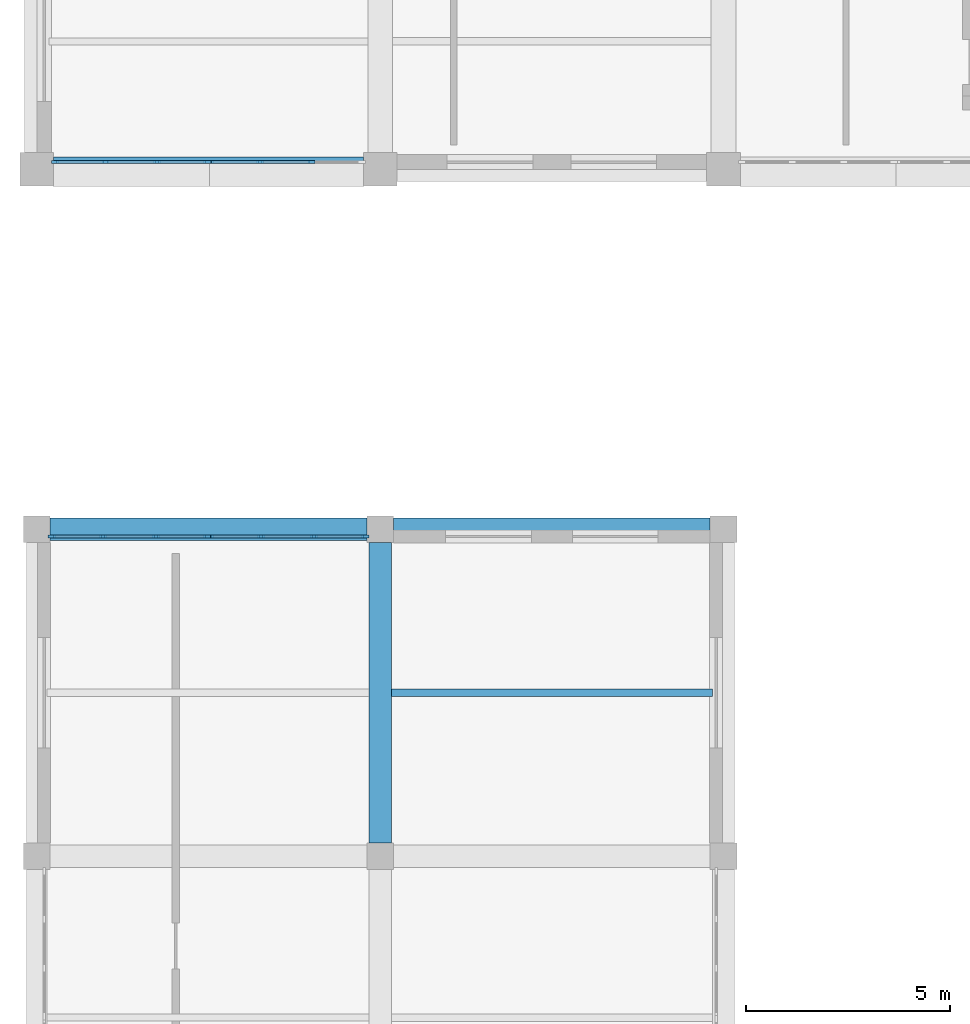
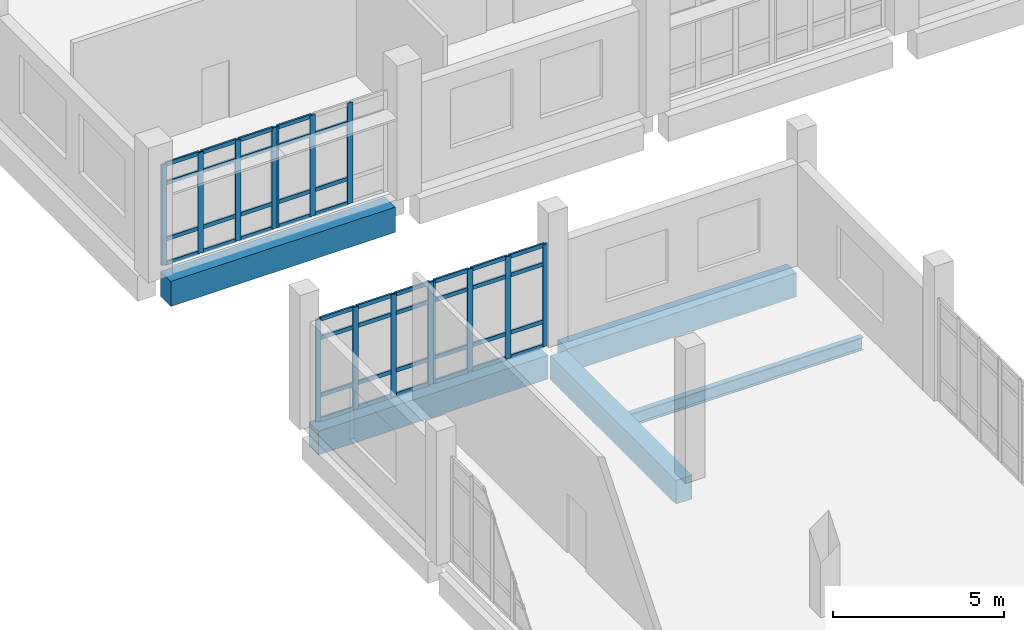
# One storey, part 21 of 90: 58 members, 5 beams, 4 elements without a shape of their own.
"""IFC4 building model written with IfcOpenShell, lengths in metres."""

from ifc_helpers import new_model, si_unit, direction, frame, origin, origin_2d, place, context, subcontext, project, spatial, rectangle, i_section, extrude, material, layer, layer_set, material_profile, profile_set, type_object, element, aggregate, save


model = new_model("IFC4")

# Units and contexts
model_context = context("Model", 3, precision=1e-05, world=origin(), true_north=direction((0.0, 1.0)))
body_context = subcontext(model_context, "Body", "Model", "MODEL_VIEW")
ifc_project = project(units=[si_unit("LENGTHUNIT", "METRE"), si_unit("AREAUNIT", "SQUARE_METRE"), si_unit("VOLUMEUNIT", "CUBIC_METRE"), si_unit("PLANEANGLEUNIT", "RADIAN"), si_unit("MASSUNIT", "GRAM", prefix="KILO")], contexts=[model_context])

# Site, building, storey
site_placement = place(None, origin())
site = spatial("IfcSite", under=ifc_project, at=site_placement, CompositionType="ELEMENT")
building_placement = place(site_placement, origin())
building = spatial("IfcBuilding", under=site, at=building_placement, Name="Kelarvand Opera House", CompositionType="ELEMENT")
storey_placement = place(building_placement, frame((0.0, 0.0, 5.39990234375)))
storey = spatial("IfcBuildingStorey", under=building, at=storey_placement, Name="L01", CompositionType="ELEMENT", Elevation=5.39990234375)

# Curtain wall, members
ifc_material_1 = material(Name="Thermally broken aluminium and low-E glazing", Category="aluminium")
ifc_layer_1 = layer(ifc_material_1, 0.179931640625, Name="Thermally broken aluminium and low-E glazing", Category="aluminium")
ifc_layer_set_1 = layer_set([ifc_layer_1], Name="Thermally broken aluminium and low-E glazing")
curtain_wall_type_1 = type_object("IfcCurtainWallType", Name="Unitised Low-E Curtain Wall 3818x3600 Mod 1350 CWF-18", PredefinedType="USERDEFINED", material=ifc_layer_set_1)
curtain_wall_1_placement = place(storey_placement, origin())
curtain_wall_1 = element("IfcCurtainWall", 1, at=curtain_wall_1_placement, inside=storey, type_object=curtain_wall_type_1, Name="V3 L01 Curtain Wall CWF-18 (65)", ObjectType="UNITISED CURTAIN WALL", PredefinedType="USERDEFINED")
ifc_material_2 = material(Name="Thermally broken anodised aluminium", Category="aluminium")
ifc_material_profile_1 = material_profile(ifc_material_2, rectangle(XDim=0.06494140625, YDim=0.179931640625, at=origin_2d()), Name="ALU MULLION 65x180", Category="aluminium")
ifc_profile_set_1 = profile_set([ifc_material_profile_1], Name="Thermally broken anodised aluminium")
member_type_1 = type_object("IfcMemberType", Name="Curtain Wall Mullion 65x180 Aluminium", PredefinedType="MULLION", material=ifc_profile_set_1)
member_1_placement = place(storey_placement, frame((15.721435546875, 87.3798828125, 0.0), z_axis=(0.0, 0.0, 1.0), x_axis=(0.0, -1.0, 0.0)))
member_1 = element("IfcMember", 2, at=member_1_placement, type_object=member_type_1, Name="CWF-18 mullion 2", PredefinedType="MULLION", context=body_context, shape_type="SweptSolid", body=[
    extrude(rectangle(XDim=0.06494140625, YDim=0.179931640625, at=origin_2d()), origin(), (0.0, 0.0, 1.0), 3.60009765625),
])
member_2_placement = place(storey_placement, frame((14.462646484375, 87.3798828125, 0.0), z_axis=(0.0, 0.0, 1.0), x_axis=(0.0, -1.0, 0.0)))
member_2 = element("IfcMember", 3, at=member_2_placement, type_object=member_type_1, Name="CWF-18 mullion 3", PredefinedType="MULLION", context=body_context, shape_type="SweptSolid", body=[
    extrude(rectangle(XDim=0.06494140625, YDim=0.179931640625, at=origin_2d()), origin(), (0.0, 0.0, 1.0), 3.60009765625),
])
member_3_placement = place(storey_placement, frame((13.236572265625, 87.3798828125, 0.0), z_axis=(0.0, 0.0, 1.0), x_axis=(0.0, -1.0, 0.0)))
member_3 = element("IfcMember", 4, at=member_3_placement, type_object=member_type_1, Name="CWF-18 mullion 4", PredefinedType="MULLION", context=body_context, shape_type="SweptSolid", body=[
    extrude(rectangle(XDim=0.06494140625, YDim=0.179931640625, at=origin_2d()), origin(), (0.0, 0.0, 1.0), 3.60009765625),
])

curtain_wall_2_placement = place(storey_placement, origin())
curtain_wall_2 = element("IfcCurtainWall", 5, at=curtain_wall_2_placement, inside=storey, type_object=curtain_wall_type_1, Name="V3 L01 Curtain Wall CWF-18 (66)", ObjectType="UNITISED CURTAIN WALL", PredefinedType="USERDEFINED")
member_4_placement = place(storey_placement, frame((13.16748046875, 87.3798828125, 0.0), z_axis=(0.0, 0.0, 1.0), x_axis=(0.0, -1.0, 0.0)))
member_4 = element("IfcMember", 6, at=member_4_placement, type_object=member_type_1, Name="CWF-18 mullion 1", PredefinedType="MULLION", context=body_context, shape_type="SweptSolid", body=[
    extrude(rectangle(XDim=0.06494140625, YDim=0.179931640625, at=origin_2d()), origin(), (0.0, 0.0, 1.0), 3.60009765625),
])
member_5_placement = place(storey_placement, frame((11.93994140625, 87.3798828125, 0.0), z_axis=(0.0, 0.0, 1.0), x_axis=(0.0, -1.0, 0.0)))
member_5 = element("IfcMember", 7, at=member_5_placement, type_object=member_type_1, Name="CWF-18 mullion 2", PredefinedType="MULLION", context=body_context, shape_type="SweptSolid", body=[
    extrude(rectangle(XDim=0.06494140625, YDim=0.179931640625, at=origin_2d()), origin(), (0.0, 0.0, 1.0), 3.60009765625),
])
member_6_placement = place(storey_placement, frame((10.679931640625, 87.3798828125, 0.0), z_axis=(0.0, 0.0, 1.0), x_axis=(0.0, -1.0, 0.0)))
member_6 = element("IfcMember", 8, at=member_6_placement, type_object=member_type_1, Name="CWF-18 mullion 3", PredefinedType="MULLION", context=body_context, shape_type="SweptSolid", body=[
    extrude(rectangle(XDim=0.06494140625, YDim=0.179931640625, at=origin_2d()), origin(), (0.0, 0.0, 1.0), 3.60009765625),
])
member_7_placement = place(storey_placement, frame((9.452392578125, 87.3798828125, 0.0), z_axis=(0.0, 0.0, 1.0), x_axis=(0.0, -1.0, 0.0)))
member_7 = element("IfcMember", 9, at=member_7_placement, type_object=member_type_1, Name="CWF-18 mullion 4", PredefinedType="MULLION", context=body_context, shape_type="SweptSolid", body=[
    extrude(rectangle(XDim=0.06494140625, YDim=0.179931640625, at=origin_2d()), origin(), (0.0, 0.0, 1.0), 3.60009765625),
])

ifc_layer_2 = layer(ifc_material_1, 0.179931640625, Name="Thermally broken aluminium and low-E glazing", Category="aluminium")
ifc_layer_set_2 = layer_set([ifc_layer_2], Name="Thermally broken aluminium and low-E glazing")
curtain_wall_type_2 = type_object("IfcCurtainWallType", Name="Unitised Low-E Curtain Wall 3861x3650 Mod 1350 CWF-30", PredefinedType="USERDEFINED", material=ifc_layer_set_2)
curtain_wall_3_placement = place(storey_placement, origin())
curtain_wall_3 = element("IfcCurtainWall", 10, at=curtain_wall_3_placement, inside=storey, type_object=curtain_wall_type_2, Name="V4 L01 Curtain Wall CWF-30 (143)", ObjectType="UNITISED CURTAIN WALL", PredefinedType="USERDEFINED")
member_8_placement = place(storey_placement, frame((9.367431640625, 78.219970703125, 0.0), z_axis=(0.0, 0.0, 1.0), x_axis=(0.0, 1.0, 0.0)))
member_8 = element("IfcMember", 11, at=member_8_placement, type_object=member_type_1, Name="CWF-30 mullion 1", PredefinedType="MULLION", context=body_context, shape_type="SweptSolid", body=[
    extrude(rectangle(XDim=0.06494140625, YDim=0.179931640625, at=origin_2d()), origin(), (0.0, 0.0, 1.0), 3.650146484375),
])
member_9_placement = place(storey_placement, frame((10.6220703125, 78.219970703125, 0.0), z_axis=(0.0, 0.0, 1.0), x_axis=(0.0, 1.0, 0.0)))
member_9 = element("IfcMember", 12, at=member_9_placement, type_object=member_type_1, Name="CWF-30 mullion 2", PredefinedType="MULLION", context=body_context, shape_type="SweptSolid", body=[
    extrude(rectangle(XDim=0.06494140625, YDim=0.179931640625, at=origin_2d()), origin(), (0.0, 0.0, 1.0), 3.650146484375),
])
member_10_placement = place(storey_placement, frame((11.908935546875, 78.219970703125, 0.0), z_axis=(0.0, 0.0, 1.0), x_axis=(0.0, 1.0, 0.0)))
member_10 = element("IfcMember", 13, at=member_10_placement, type_object=member_type_1, Name="CWF-30 mullion 3", PredefinedType="MULLION", context=body_context, shape_type="SweptSolid", body=[
    extrude(rectangle(XDim=0.06494140625, YDim=0.179931640625, at=origin_2d()), origin(), (0.0, 0.0, 1.0), 3.650146484375),
])
member_11_placement = place(storey_placement, frame((13.16357421875, 78.219970703125, 0.0), z_axis=(0.0, 0.0, 1.0), x_axis=(0.0, 1.0, 0.0)))
member_11 = element("IfcMember", 14, at=member_11_placement, type_object=member_type_1, Name="CWF-30 mullion 4", PredefinedType="MULLION", context=body_context, shape_type="SweptSolid", body=[
    extrude(rectangle(XDim=0.06494140625, YDim=0.179931640625, at=origin_2d()), origin(), (0.0, 0.0, 1.0), 3.650146484375),
])

curtain_wall_4_placement = place(storey_placement, origin())
curtain_wall_4 = element("IfcCurtainWall", 15, at=curtain_wall_4_placement, inside=storey, type_object=curtain_wall_type_2, Name="V4 L01 Curtain Wall CWF-30 (144)", ObjectType="UNITISED CURTAIN WALL", PredefinedType="USERDEFINED")
member_12_placement = place(storey_placement, frame((13.232421875, 78.219970703125, 0.0), z_axis=(0.0, 0.0, 1.0), x_axis=(0.0, 1.0, 0.0)))
member_12 = element("IfcMember", 16, at=member_12_placement, type_object=member_type_1, Name="CWF-30 mullion 1", PredefinedType="MULLION", context=body_context, shape_type="SweptSolid", body=[
    extrude(rectangle(XDim=0.06494140625, YDim=0.179931640625, at=origin_2d()), origin(), (0.0, 0.0, 1.0), 3.650146484375),
])
member_13_placement = place(storey_placement, frame((14.48828125, 78.219970703125, 0.0), z_axis=(0.0, 0.0, 1.0), x_axis=(0.0, 1.0, 0.0)))
member_13 = element("IfcMember", 17, at=member_13_placement, type_object=member_type_1, Name="CWF-30 mullion 2", PredefinedType="MULLION", context=body_context, shape_type="SweptSolid", body=[
    extrude(rectangle(XDim=0.06494140625, YDim=0.179931640625, at=origin_2d()), origin(), (0.0, 0.0, 1.0), 3.650146484375),
])
member_14_placement = place(storey_placement, frame((15.776611328125, 78.219970703125, 0.0), z_axis=(0.0, 0.0, 1.0), x_axis=(0.0, 1.0, 0.0)))
member_14 = element("IfcMember", 18, at=member_14_placement, type_object=member_type_1, Name="CWF-30 mullion 3", PredefinedType="MULLION", context=body_context, shape_type="SweptSolid", body=[
    extrude(rectangle(XDim=0.06494140625, YDim=0.179931640625, at=origin_2d()), origin(), (0.0, 0.0, 1.0), 3.650146484375),
])
member_15_placement = place(storey_placement, frame((17.032470703125, 78.219970703125, 0.0), z_axis=(0.0, 0.0, 1.0), x_axis=(0.0, 1.0, 0.0)))
member_15 = element("IfcMember", 19, at=member_15_placement, type_object=member_type_1, Name="CWF-30 mullion 4", PredefinedType="MULLION", context=body_context, shape_type="SweptSolid", body=[
    extrude(rectangle(XDim=0.06494140625, YDim=0.179931640625, at=origin_2d()), origin(), (0.0, 0.0, 1.0), 3.650146484375),
])

# Member
ifc_material_profile_2 = material_profile(ifc_material_2, rectangle(XDim=0.06494140625, YDim=0.139892578125, at=origin_2d()), Name="ALU TRANSOM 65x140", Category="aluminium")
ifc_profile_set_2 = profile_set([ifc_material_profile_2], Name="Thermally broken anodised aluminium")
member_type_2 = type_object("IfcMemberType", Name="Curtain Wall Transom 65x140 Aluminium", PredefinedType="USERDEFINED", material=ifc_profile_set_2)
member_16_placement = place(storey_placement, frame((15.688720703125, 87.3798828125, 0.03271484375), z_axis=(-1.0, 0.0, 0.0), x_axis=(0.0, -1.0, 0.0)))
member_16 = element("IfcMember", 20, at=member_16_placement, type_object=member_type_2, Name="CWF-18 transom 2.1", ObjectType="TRANSOM", PredefinedType="USERDEFINED", context=body_context, shape_type="SweptSolid", body=[
    extrude(rectangle(XDim=0.06494140625, YDim=0.139892578125, at=origin_2d()), origin(), (0.0, 0.0, 1.0), 1.193603515625),
])

member_17_placement = place(storey_placement, frame((15.688720703125, 87.3798828125, 0.900146484375), z_axis=(-1.0, 0.0, 0.0), x_axis=(0.0, -1.0, 0.0)))
member_17 = element("IfcMember", 21, at=member_17_placement, type_object=member_type_2, Name="CWF-18 transom 2.2", ObjectType="TRANSOM", PredefinedType="USERDEFINED", context=body_context, shape_type="SweptSolid", body=[
    extrude(rectangle(XDim=0.06494140625, YDim=0.139892578125, at=origin_2d()), origin(), (0.0, 0.0, 1.0), 1.193603515625),
])

member_18_placement = place(storey_placement, frame((15.688720703125, 87.3798828125, 2.900146484375), z_axis=(-1.0, 0.0, 0.0), x_axis=(0.0, -1.0, 0.0)))
member_18 = element("IfcMember", 22, at=member_18_placement, type_object=member_type_2, Name="CWF-18 transom 2.3", ObjectType="TRANSOM", PredefinedType="USERDEFINED", context=body_context, shape_type="SweptSolid", body=[
    extrude(rectangle(XDim=0.06494140625, YDim=0.139892578125, at=origin_2d()), origin(), (0.0, 0.0, 1.0), 1.193603515625),
])

member_19_placement = place(storey_placement, frame((14.43017578125, 87.3798828125, 0.03271484375), z_axis=(-1.0, 0.0, 0.0), x_axis=(0.0, -1.0, 0.0)))
member_19 = element("IfcMember", 23, at=member_19_placement, type_object=member_type_2, Name="CWF-18 transom 3.1", ObjectType="TRANSOM", PredefinedType="USERDEFINED", context=body_context, shape_type="SweptSolid", body=[
    extrude(rectangle(XDim=0.06494140625, YDim=0.139892578125, at=origin_2d()), origin(), (0.0, 0.0, 1.0), 1.1611328125),
])

member_20_placement = place(storey_placement, frame((14.43017578125, 87.3798828125, 0.900146484375), z_axis=(-1.0, 0.0, 0.0), x_axis=(0.0, -1.0, 0.0)))
member_20 = element("IfcMember", 24, at=member_20_placement, type_object=member_type_2, Name="CWF-18 transom 3.2", ObjectType="TRANSOM", PredefinedType="USERDEFINED", context=body_context, shape_type="SweptSolid", body=[
    extrude(rectangle(XDim=0.06494140625, YDim=0.139892578125, at=origin_2d()), origin(), (0.0, 0.0, 1.0), 1.1611328125),
])

member_21_placement = place(storey_placement, frame((14.43017578125, 87.3798828125, 2.900146484375), z_axis=(-1.0, 0.0, 0.0), x_axis=(0.0, -1.0, 0.0)))
member_21 = element("IfcMember", 25, at=member_21_placement, type_object=member_type_2, Name="CWF-18 transom 3.3", ObjectType="TRANSOM", PredefinedType="USERDEFINED", context=body_context, shape_type="SweptSolid", body=[
    extrude(rectangle(XDim=0.06494140625, YDim=0.139892578125, at=origin_2d()), origin(), (0.0, 0.0, 1.0), 1.1611328125),
])

member_22_placement = place(storey_placement, frame((14.43017578125, 87.3798828125, 3.567626953125), z_axis=(-1.0, 0.0, 0.0), x_axis=(0.0, -1.0, 0.0)))
member_22 = element("IfcMember", 26, at=member_22_placement, type_object=member_type_2, Name="CWF-18 transom 3.4", ObjectType="TRANSOM", PredefinedType="USERDEFINED", context=body_context, shape_type="SweptSolid", body=[
    extrude(rectangle(XDim=0.06494140625, YDim=0.139892578125, at=origin_2d()), origin(), (0.0, 0.0, 1.0), 1.1611328125),
])

aggregate(curtain_wall_1, [member_1, member_2, member_3, member_16, member_17, member_18, member_19, member_20, member_21, member_22])

member_23_placement = place(storey_placement, frame((13.135009765625, 87.3798828125, 0.03271484375), z_axis=(-1.0, 0.0, 0.0), x_axis=(0.0, -1.0, 0.0)))
member_23 = element("IfcMember", 27, at=member_23_placement, type_object=member_type_2, Name="CWF-18 transom 1.1", ObjectType="TRANSOM", PredefinedType="USERDEFINED", context=body_context, shape_type="SweptSolid", body=[
    extrude(rectangle(XDim=0.06494140625, YDim=0.139892578125, at=origin_2d()), origin(), (0.0, 0.0, 1.0), 1.16259765625),
])

member_24_placement = place(storey_placement, frame((13.135009765625, 87.3798828125, 0.900146484375), z_axis=(-1.0, 0.0, 0.0), x_axis=(0.0, -1.0, 0.0)))
member_24 = element("IfcMember", 28, at=member_24_placement, type_object=member_type_2, Name="CWF-18 transom 1.2", ObjectType="TRANSOM", PredefinedType="USERDEFINED", context=body_context, shape_type="SweptSolid", body=[
    extrude(rectangle(XDim=0.06494140625, YDim=0.139892578125, at=origin_2d()), origin(), (0.0, 0.0, 1.0), 1.16259765625),
])

member_25_placement = place(storey_placement, frame((13.135009765625, 87.3798828125, 2.900146484375), z_axis=(-1.0, 0.0, 0.0), x_axis=(0.0, -1.0, 0.0)))
member_25 = element("IfcMember", 29, at=member_25_placement, type_object=member_type_2, Name="CWF-18 transom 1.3", ObjectType="TRANSOM", PredefinedType="USERDEFINED", context=body_context, shape_type="SweptSolid", body=[
    extrude(rectangle(XDim=0.06494140625, YDim=0.139892578125, at=origin_2d()), origin(), (0.0, 0.0, 1.0), 1.16259765625),
])

member_26_placement = place(storey_placement, frame((13.135009765625, 87.3798828125, 3.567626953125), z_axis=(-1.0, 0.0, 0.0), x_axis=(0.0, -1.0, 0.0)))
member_26 = element("IfcMember", 30, at=member_26_placement, type_object=member_type_2, Name="CWF-18 transom 1.4", ObjectType="TRANSOM", PredefinedType="USERDEFINED", context=body_context, shape_type="SweptSolid", body=[
    extrude(rectangle(XDim=0.06494140625, YDim=0.139892578125, at=origin_2d()), origin(), (0.0, 0.0, 1.0), 1.16259765625),
])

member_27_placement = place(storey_placement, frame((11.907470703125, 87.3798828125, 0.03271484375), z_axis=(-1.0, 0.0, 0.0), x_axis=(0.0, -1.0, 0.0)))
member_27 = element("IfcMember", 31, at=member_27_placement, type_object=member_type_2, Name="CWF-18 transom 2.1", ObjectType="TRANSOM", PredefinedType="USERDEFINED", context=body_context, shape_type="SweptSolid", body=[
    extrude(rectangle(XDim=0.06494140625, YDim=0.139892578125, at=origin_2d()), origin(), (0.0, 0.0, 1.0), 1.195068359375),
])

member_28_placement = place(storey_placement, frame((11.907470703125, 87.3798828125, 0.900146484375), z_axis=(-1.0, 0.0, 0.0), x_axis=(0.0, -1.0, 0.0)))
member_28 = element("IfcMember", 32, at=member_28_placement, type_object=member_type_2, Name="CWF-18 transom 2.2", ObjectType="TRANSOM", PredefinedType="USERDEFINED", context=body_context, shape_type="SweptSolid", body=[
    extrude(rectangle(XDim=0.06494140625, YDim=0.139892578125, at=origin_2d()), origin(), (0.0, 0.0, 1.0), 1.195068359375),
])

member_29_placement = place(storey_placement, frame((11.907470703125, 87.3798828125, 2.900146484375), z_axis=(-1.0, 0.0, 0.0), x_axis=(0.0, -1.0, 0.0)))
member_29 = element("IfcMember", 33, at=member_29_placement, type_object=member_type_2, Name="CWF-18 transom 2.3", ObjectType="TRANSOM", PredefinedType="USERDEFINED", context=body_context, shape_type="SweptSolid", body=[
    extrude(rectangle(XDim=0.06494140625, YDim=0.139892578125, at=origin_2d()), origin(), (0.0, 0.0, 1.0), 1.195068359375),
])

member_30_placement = place(storey_placement, frame((11.907470703125, 87.3798828125, 3.567626953125), z_axis=(-1.0, 0.0, 0.0), x_axis=(0.0, -1.0, 0.0)))
member_30 = element("IfcMember", 34, at=member_30_placement, type_object=member_type_2, Name="CWF-18 transom 2.4", ObjectType="TRANSOM", PredefinedType="USERDEFINED", context=body_context, shape_type="SweptSolid", body=[
    extrude(rectangle(XDim=0.06494140625, YDim=0.139892578125, at=origin_2d()), origin(), (0.0, 0.0, 1.0), 1.195068359375),
])

member_31_placement = place(storey_placement, frame((10.6474609375, 87.3798828125, 0.03271484375), z_axis=(-1.0, 0.0, 0.0), x_axis=(0.0, -1.0, 0.0)))
member_31 = element("IfcMember", 35, at=member_31_placement, type_object=member_type_2, Name="CWF-18 transom 3.1", ObjectType="TRANSOM", PredefinedType="USERDEFINED", context=body_context, shape_type="SweptSolid", body=[
    extrude(rectangle(XDim=0.06494140625, YDim=0.139892578125, at=origin_2d()), origin(), (0.0, 0.0, 1.0), 1.162353515625),
])

member_32_placement = place(storey_placement, frame((10.6474609375, 87.3798828125, 0.900146484375), z_axis=(-1.0, 0.0, 0.0), x_axis=(0.0, -1.0, 0.0)))
member_32 = element("IfcMember", 36, at=member_32_placement, type_object=member_type_2, Name="CWF-18 transom 3.2", ObjectType="TRANSOM", PredefinedType="USERDEFINED", context=body_context, shape_type="SweptSolid", body=[
    extrude(rectangle(XDim=0.06494140625, YDim=0.139892578125, at=origin_2d()), origin(), (0.0, 0.0, 1.0), 1.162353515625),
])

member_33_placement = place(storey_placement, frame((10.6474609375, 87.3798828125, 2.900146484375), z_axis=(-1.0, 0.0, 0.0), x_axis=(0.0, -1.0, 0.0)))
member_33 = element("IfcMember", 37, at=member_33_placement, type_object=member_type_2, Name="CWF-18 transom 3.3", ObjectType="TRANSOM", PredefinedType="USERDEFINED", context=body_context, shape_type="SweptSolid", body=[
    extrude(rectangle(XDim=0.06494140625, YDim=0.139892578125, at=origin_2d()), origin(), (0.0, 0.0, 1.0), 1.162353515625),
])

member_34_placement = place(storey_placement, frame((10.6474609375, 87.3798828125, 3.567626953125), z_axis=(-1.0, 0.0, 0.0), x_axis=(0.0, -1.0, 0.0)))
member_34 = element("IfcMember", 38, at=member_34_placement, type_object=member_type_2, Name="CWF-18 transom 3.4", ObjectType="TRANSOM", PredefinedType="USERDEFINED", context=body_context, shape_type="SweptSolid", body=[
    extrude(rectangle(XDim=0.06494140625, YDim=0.139892578125, at=origin_2d()), origin(), (0.0, 0.0, 1.0), 1.162353515625),
])

aggregate(curtain_wall_2, [member_4, member_5, member_6, member_7, member_23, member_24, member_25, member_26, member_27, member_28, member_29, member_30, member_31, member_32, member_33, member_34])

member_35_placement = place(storey_placement, frame((9.39990234375, 78.219970703125, 0.03271484375), z_axis=(1.0, 0.0, 0.0), x_axis=(0.0, 1.0, 0.0)))
member_35 = element("IfcMember", 39, at=member_35_placement, type_object=member_type_2, Name="CWF-30 transom 1.1", ObjectType="TRANSOM", PredefinedType="USERDEFINED", context=body_context, shape_type="SweptSolid", body=[
    extrude(rectangle(XDim=0.06494140625, YDim=0.139892578125, at=origin_2d()), origin(), (0.0, 0.0, 1.0), 1.189697265625),
])

member_36_placement = place(storey_placement, frame((9.39990234375, 78.219970703125, 0.900146484375), z_axis=(1.0, 0.0, 0.0), x_axis=(0.0, 1.0, 0.0)))
member_36 = element("IfcMember", 40, at=member_36_placement, type_object=member_type_2, Name="CWF-30 transom 1.2", ObjectType="TRANSOM", PredefinedType="USERDEFINED", context=body_context, shape_type="SweptSolid", body=[
    extrude(rectangle(XDim=0.06494140625, YDim=0.139892578125, at=origin_2d()), origin(), (0.0, 0.0, 1.0), 1.189697265625),
])

member_37_placement = place(storey_placement, frame((9.39990234375, 78.219970703125, 2.9501953125), z_axis=(1.0, 0.0, 0.0), x_axis=(0.0, 1.0, 0.0)))
member_37 = element("IfcMember", 41, at=member_37_placement, type_object=member_type_2, Name="CWF-30 transom 1.3", ObjectType="TRANSOM", PredefinedType="USERDEFINED", context=body_context, shape_type="SweptSolid", body=[
    extrude(rectangle(XDim=0.06494140625, YDim=0.139892578125, at=origin_2d()), origin(), (0.0, 0.0, 1.0), 1.189697265625),
])

member_38_placement = place(storey_placement, frame((9.39990234375, 78.219970703125, 3.61767578125), z_axis=(1.0, 0.0, 0.0), x_axis=(0.0, 1.0, 0.0)))
member_38 = element("IfcMember", 42, at=member_38_placement, type_object=member_type_2, Name="CWF-30 transom 1.4", ObjectType="TRANSOM", PredefinedType="USERDEFINED", context=body_context, shape_type="SweptSolid", body=[
    extrude(rectangle(XDim=0.06494140625, YDim=0.139892578125, at=origin_2d()), origin(), (0.0, 0.0, 1.0), 1.189697265625),
])

member_39_placement = place(storey_placement, frame((10.654541015625, 78.219970703125, 0.03271484375), z_axis=(1.0, 0.0, 0.0), x_axis=(0.0, 1.0, 0.0)))
member_39 = element("IfcMember", 43, at=member_39_placement, type_object=member_type_2, Name="CWF-30 transom 2.1", ObjectType="TRANSOM", PredefinedType="USERDEFINED", context=body_context, shape_type="SweptSolid", body=[
    extrude(rectangle(XDim=0.06494140625, YDim=0.139892578125, at=origin_2d()), origin(), (0.0, 0.0, 1.0), 1.221923828125),
])

member_40_placement = place(storey_placement, frame((10.654541015625, 78.219970703125, 0.900146484375), z_axis=(1.0, 0.0, 0.0), x_axis=(0.0, 1.0, 0.0)))
member_40 = element("IfcMember", 44, at=member_40_placement, type_object=member_type_2, Name="CWF-30 transom 2.2", ObjectType="TRANSOM", PredefinedType="USERDEFINED", context=body_context, shape_type="SweptSolid", body=[
    extrude(rectangle(XDim=0.06494140625, YDim=0.139892578125, at=origin_2d()), origin(), (0.0, 0.0, 1.0), 1.221923828125),
])

member_41_placement = place(storey_placement, frame((10.654541015625, 78.219970703125, 2.9501953125), z_axis=(1.0, 0.0, 0.0), x_axis=(0.0, 1.0, 0.0)))
member_41 = element("IfcMember", 45, at=member_41_placement, type_object=member_type_2, Name="CWF-30 transom 2.3", ObjectType="TRANSOM", PredefinedType="USERDEFINED", context=body_context, shape_type="SweptSolid", body=[
    extrude(rectangle(XDim=0.06494140625, YDim=0.139892578125, at=origin_2d()), origin(), (0.0, 0.0, 1.0), 1.221923828125),
])

member_42_placement = place(storey_placement, frame((10.654541015625, 78.219970703125, 3.61767578125), z_axis=(1.0, 0.0, 0.0), x_axis=(0.0, 1.0, 0.0)))
member_42 = element("IfcMember", 46, at=member_42_placement, type_object=member_type_2, Name="CWF-30 transom 2.4", ObjectType="TRANSOM", PredefinedType="USERDEFINED", context=body_context, shape_type="SweptSolid", body=[
    extrude(rectangle(XDim=0.06494140625, YDim=0.139892578125, at=origin_2d()), origin(), (0.0, 0.0, 1.0), 1.221923828125),
])

member_43_placement = place(storey_placement, frame((11.94140625, 78.219970703125, 0.03271484375), z_axis=(1.0, 0.0, 0.0), x_axis=(0.0, 1.0, 0.0)))
member_43 = element("IfcMember", 47, at=member_43_placement, type_object=member_type_2, Name="CWF-30 transom 3.1", ObjectType="TRANSOM", PredefinedType="USERDEFINED", context=body_context, shape_type="SweptSolid", body=[
    extrude(rectangle(XDim=0.06494140625, YDim=0.139892578125, at=origin_2d()), origin(), (0.0, 0.0, 1.0), 1.189697265625),
])

member_44_placement = place(storey_placement, frame((11.94140625, 78.219970703125, 0.900146484375), z_axis=(1.0, 0.0, 0.0), x_axis=(0.0, 1.0, 0.0)))
member_44 = element("IfcMember", 48, at=member_44_placement, type_object=member_type_2, Name="CWF-30 transom 3.2", ObjectType="TRANSOM", PredefinedType="USERDEFINED", context=body_context, shape_type="SweptSolid", body=[
    extrude(rectangle(XDim=0.06494140625, YDim=0.139892578125, at=origin_2d()), origin(), (0.0, 0.0, 1.0), 1.189697265625),
])

member_45_placement = place(storey_placement, frame((11.94140625, 78.219970703125, 2.9501953125), z_axis=(1.0, 0.0, 0.0), x_axis=(0.0, 1.0, 0.0)))
member_45 = element("IfcMember", 49, at=member_45_placement, type_object=member_type_2, Name="CWF-30 transom 3.3", ObjectType="TRANSOM", PredefinedType="USERDEFINED", context=body_context, shape_type="SweptSolid", body=[
    extrude(rectangle(XDim=0.06494140625, YDim=0.139892578125, at=origin_2d()), origin(), (0.0, 0.0, 1.0), 1.189697265625),
])

member_46_placement = place(storey_placement, frame((11.94140625, 78.219970703125, 3.61767578125), z_axis=(1.0, 0.0, 0.0), x_axis=(0.0, 1.0, 0.0)))
member_46 = element("IfcMember", 50, at=member_46_placement, type_object=member_type_2, Name="CWF-30 transom 3.4", ObjectType="TRANSOM", PredefinedType="USERDEFINED", context=body_context, shape_type="SweptSolid", body=[
    extrude(rectangle(XDim=0.06494140625, YDim=0.139892578125, at=origin_2d()), origin(), (0.0, 0.0, 1.0), 1.189697265625),
])

aggregate(curtain_wall_3, [member_8, member_9, member_10, member_11, member_35, member_36, member_37, member_38, member_39, member_40, member_41, member_42, member_43, member_44, member_45, member_46])

member_47_placement = place(storey_placement, frame((13.264892578125, 78.219970703125, 0.03271484375), z_axis=(1.0, 0.0, 0.0), x_axis=(0.0, 1.0, 0.0)))
member_47 = element("IfcMember", 51, at=member_47_placement, type_object=member_type_2, Name="CWF-30 transom 1.1", ObjectType="TRANSOM", PredefinedType="USERDEFINED", context=body_context, shape_type="SweptSolid", body=[
    extrude(rectangle(XDim=0.06494140625, YDim=0.139892578125, at=origin_2d()), origin(), (0.0, 0.0, 1.0), 1.19091796875),
])

member_48_placement = place(storey_placement, frame((13.264892578125, 78.219970703125, 0.900146484375), z_axis=(1.0, 0.0, 0.0), x_axis=(0.0, 1.0, 0.0)))
member_48 = element("IfcMember", 52, at=member_48_placement, type_object=member_type_2, Name="CWF-30 transom 1.2", ObjectType="TRANSOM", PredefinedType="USERDEFINED", context=body_context, shape_type="SweptSolid", body=[
    extrude(rectangle(XDim=0.06494140625, YDim=0.139892578125, at=origin_2d()), origin(), (0.0, 0.0, 1.0), 1.19091796875),
])

member_49_placement = place(storey_placement, frame((13.264892578125, 78.219970703125, 2.9501953125), z_axis=(1.0, 0.0, 0.0), x_axis=(0.0, 1.0, 0.0)))
member_49 = element("IfcMember", 53, at=member_49_placement, type_object=member_type_2, Name="CWF-30 transom 1.3", ObjectType="TRANSOM", PredefinedType="USERDEFINED", context=body_context, shape_type="SweptSolid", body=[
    extrude(rectangle(XDim=0.06494140625, YDim=0.139892578125, at=origin_2d()), origin(), (0.0, 0.0, 1.0), 1.19091796875),
])

member_50_placement = place(storey_placement, frame((13.264892578125, 78.219970703125, 3.61767578125), z_axis=(1.0, 0.0, 0.0), x_axis=(0.0, 1.0, 0.0)))
member_50 = element("IfcMember", 54, at=member_50_placement, type_object=member_type_2, Name="CWF-30 transom 1.4", ObjectType="TRANSOM", PredefinedType="USERDEFINED", context=body_context, shape_type="SweptSolid", body=[
    extrude(rectangle(XDim=0.06494140625, YDim=0.139892578125, at=origin_2d()), origin(), (0.0, 0.0, 1.0), 1.19091796875),
])

member_51_placement = place(storey_placement, frame((14.520751953125, 78.219970703125, 0.03271484375), z_axis=(1.0, 0.0, 0.0), x_axis=(0.0, 1.0, 0.0)))
member_51 = element("IfcMember", 55, at=member_51_placement, type_object=member_type_2, Name="CWF-30 transom 2.1", ObjectType="TRANSOM", PredefinedType="USERDEFINED", context=body_context, shape_type="SweptSolid", body=[
    extrude(rectangle(XDim=0.06494140625, YDim=0.139892578125, at=origin_2d()), origin(), (0.0, 0.0, 1.0), 1.223388671875),
])

member_52_placement = place(storey_placement, frame((14.520751953125, 78.219970703125, 0.900146484375), z_axis=(1.0, 0.0, 0.0), x_axis=(0.0, 1.0, 0.0)))
member_52 = element("IfcMember", 56, at=member_52_placement, type_object=member_type_2, Name="CWF-30 transom 2.2", ObjectType="TRANSOM", PredefinedType="USERDEFINED", context=body_context, shape_type="SweptSolid", body=[
    extrude(rectangle(XDim=0.06494140625, YDim=0.139892578125, at=origin_2d()), origin(), (0.0, 0.0, 1.0), 1.223388671875),
])

member_53_placement = place(storey_placement, frame((14.520751953125, 78.219970703125, 2.9501953125), z_axis=(1.0, 0.0, 0.0), x_axis=(0.0, 1.0, 0.0)))
member_53 = element("IfcMember", 57, at=member_53_placement, type_object=member_type_2, Name="CWF-30 transom 2.3", ObjectType="TRANSOM", PredefinedType="USERDEFINED", context=body_context, shape_type="SweptSolid", body=[
    extrude(rectangle(XDim=0.06494140625, YDim=0.139892578125, at=origin_2d()), origin(), (0.0, 0.0, 1.0), 1.223388671875),
])

member_54_placement = place(storey_placement, frame((14.520751953125, 78.219970703125, 3.61767578125), z_axis=(1.0, 0.0, 0.0), x_axis=(0.0, 1.0, 0.0)))
member_54 = element("IfcMember", 58, at=member_54_placement, type_object=member_type_2, Name="CWF-30 transom 2.4", ObjectType="TRANSOM", PredefinedType="USERDEFINED", context=body_context, shape_type="SweptSolid", body=[
    extrude(rectangle(XDim=0.06494140625, YDim=0.139892578125, at=origin_2d()), origin(), (0.0, 0.0, 1.0), 1.223388671875),
])

member_55_placement = place(storey_placement, frame((15.80908203125, 78.219970703125, 0.03271484375), z_axis=(1.0, 0.0, 0.0), x_axis=(0.0, 1.0, 0.0)))
member_55 = element("IfcMember", 59, at=member_55_placement, type_object=member_type_2, Name="CWF-30 transom 3.1", ObjectType="TRANSOM", PredefinedType="USERDEFINED", context=body_context, shape_type="SweptSolid", body=[
    extrude(rectangle(XDim=0.06494140625, YDim=0.139892578125, at=origin_2d()), origin(), (0.0, 0.0, 1.0), 1.19091796875),
])

member_56_placement = place(storey_placement, frame((15.80908203125, 78.219970703125, 0.900146484375), z_axis=(1.0, 0.0, 0.0), x_axis=(0.0, 1.0, 0.0)))
member_56 = element("IfcMember", 60, at=member_56_placement, type_object=member_type_2, Name="CWF-30 transom 3.2", ObjectType="TRANSOM", PredefinedType="USERDEFINED", context=body_context, shape_type="SweptSolid", body=[
    extrude(rectangle(XDim=0.06494140625, YDim=0.139892578125, at=origin_2d()), origin(), (0.0, 0.0, 1.0), 1.19091796875),
])

member_57_placement = place(storey_placement, frame((15.80908203125, 78.219970703125, 2.9501953125), z_axis=(1.0, 0.0, 0.0), x_axis=(0.0, 1.0, 0.0)))
member_57 = element("IfcMember", 61, at=member_57_placement, type_object=member_type_2, Name="CWF-30 transom 3.3", ObjectType="TRANSOM", PredefinedType="USERDEFINED", context=body_context, shape_type="SweptSolid", body=[
    extrude(rectangle(XDim=0.06494140625, YDim=0.139892578125, at=origin_2d()), origin(), (0.0, 0.0, 1.0), 1.19091796875),
])

member_58_placement = place(storey_placement, frame((15.80908203125, 78.219970703125, 3.61767578125), z_axis=(1.0, 0.0, 0.0), x_axis=(0.0, 1.0, 0.0)))
member_58 = element("IfcMember", 62, at=member_58_placement, type_object=member_type_2, Name="CWF-30 transom 3.4", ObjectType="TRANSOM", PredefinedType="USERDEFINED", context=body_context, shape_type="SweptSolid", body=[
    extrude(rectangle(XDim=0.06494140625, YDim=0.139892578125, at=origin_2d()), origin(), (0.0, 0.0, 1.0), 1.19091796875),
])

aggregate(curtain_wall_4, [member_12, member_13, member_14, member_15, member_47, member_48, member_49, member_50, member_51, member_52, member_53, member_54, member_55, member_56, member_57, member_58])

# Beams
ifc_material_3 = material(Name="Concrete C40/50", Category="concrete")
ifc_material_profile_3 = material_profile(ifc_material_3, rectangle(XDim=0.550048828125, YDim=0.85009765625, at=origin_2d()), Name="RC 550x850", Category="concrete")
ifc_profile_set_3 = profile_set([ifc_material_profile_3], Name="Concrete C40/50")
beam_type_1 = type_object("IfcBeamType", Name="Structural Beam RC 550x850 BM-RC550x850", PredefinedType="BEAM", material=ifc_profile_set_3)
for number, where, z_axis, x_axis, name in (
    (63, (9.324951171875, 78.39990234375, -0.724853515625), (1.0, 0.0, 0.0), (0.0, 1.0, 0.0), "V4 L01 Beam BM-RC550x850"),
    (64, (17.72509765625, 78.39990234375, -0.724853515625), (1.0, 0.0, 0.0), (0.0, 1.0, 0.0), "V4 L01 Beam BM-RC550x850"),
):
    element("IfcBeam", number, at=place(storey_placement, frame(where, z_axis=z_axis, x_axis=x_axis)), inside=storey, type_object=beam_type_1, Name=name, PredefinedType="BEAM", context=body_context, shape_type="SweptSolid", body=[
        extrude(rectangle(XDim=0.550048828125, YDim=0.85009765625, at=origin_2d()), origin(), (0.0, 0.0, 1.0), 7.75),
    ])
beam_1_placement = place(storey_placement, frame((17.39990234375, 70.72509765625, -0.724853515625), z_axis=(0.0, 1.0, 0.0), x_axis=(-1.0, 0.0, 0.0)))
element("IfcBeam", 65, at=beam_1_placement, inside=storey, type_object=beam_type_1, Name="V4 L01 Beam BM-RC550x850", PredefinedType="BEAM", context=body_context, shape_type="SweptSolid", body=[
    extrude(rectangle(XDim=0.550048828125, YDim=0.85009765625, at=origin_2d()), origin(), (0.0, 0.0, 1.0), 7.349853515625),
])
ifc_material_4 = material(Name="Steel S355", Category="steel")
ifc_material_profile_4 = material_profile(ifc_material_4, i_section(OverallWidth=0.18994140625, OverallDepth=0.449951171875, WebThickness=0.009521484375, FlangeThickness=0.0146484375, at=origin_2d()), Name="IPE 450", Category="steel")
ifc_profile_set_4 = profile_set([ifc_material_profile_4], Name="Steel S355")
beam_type_2 = type_object("IfcBeamType", Name="Structural Joist IPE 450 JS-IPE450", PredefinedType="JOIST", material=ifc_profile_set_4)
beam_2_placement = place(storey_placement, frame((17.675048828125, 74.39990234375, -0.52490234375), z_axis=(1.0, 0.0, 0.0), x_axis=(0.0, 1.0, 0.0)))
element("IfcBeam", 66, at=beam_2_placement, inside=storey, type_object=beam_type_2, Name="V4 L01 Beam JS-IPE450", PredefinedType="JOIST", context=body_context, shape_type="SweptSolid", body=[
    extrude(i_section(OverallWidth=0.18994140625, OverallDepth=0.449951171875, WebThickness=0.009521484375, FlangeThickness=0.0146484375, at=origin_2d()), origin(), (0.0, 0.0, 1.0), 7.849853515625),
])
ifc_material_profile_5 = material_profile(ifc_material_3, rectangle(XDim=0.60009765625, YDim=0.89990234375, at=origin_2d()), Name="RC 600x900", Category="concrete")
ifc_profile_set_5 = profile_set([ifc_material_profile_5], Name="Concrete C40/50")
beam_type_3 = type_object("IfcBeamType", Name="Structural Spandrel RC 600x900 SP-RC600x900E", PredefinedType="SPANDREL", material=ifc_profile_set_5)
beam_3_placement = place(storey_placement, frame((9.409912109375, 87.199951171875, -0.75), z_axis=(1.0, 0.0, 0.0), x_axis=(0.0, 1.0, 0.0)))
element("IfcBeam", 67, at=beam_3_placement, inside=storey, type_object=beam_type_3, Name="V3 L01 Beam SP-RC600x900E", PredefinedType="SPANDREL", context=body_context, shape_type="SweptSolid", body=[
    extrude(rectangle(XDim=0.60009765625, YDim=0.89990234375, at=origin_2d()), origin(), (0.0, 0.0, 1.0), 7.580078125),
])

save(model, "model.ifc")
